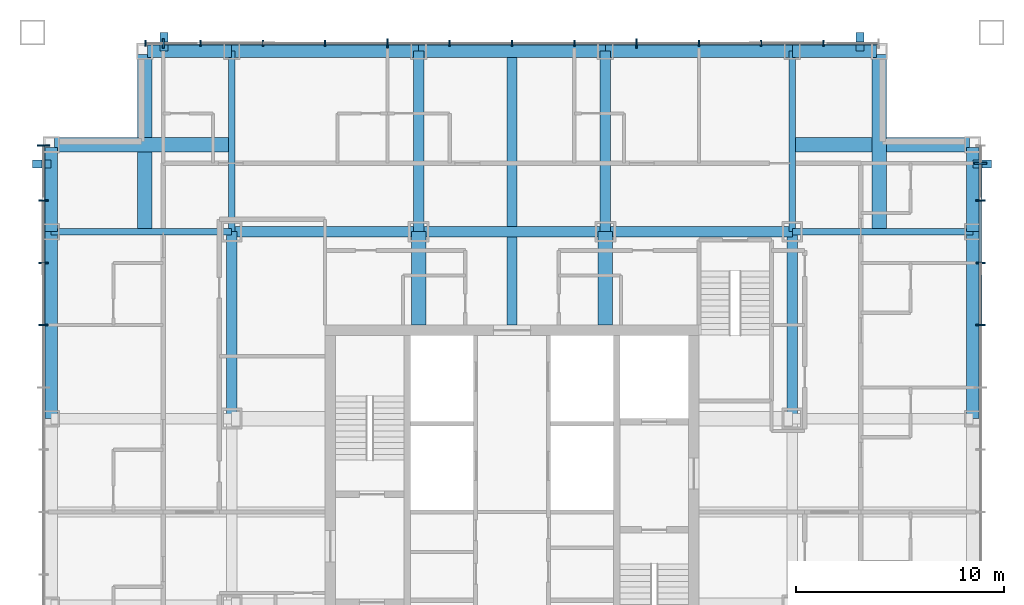
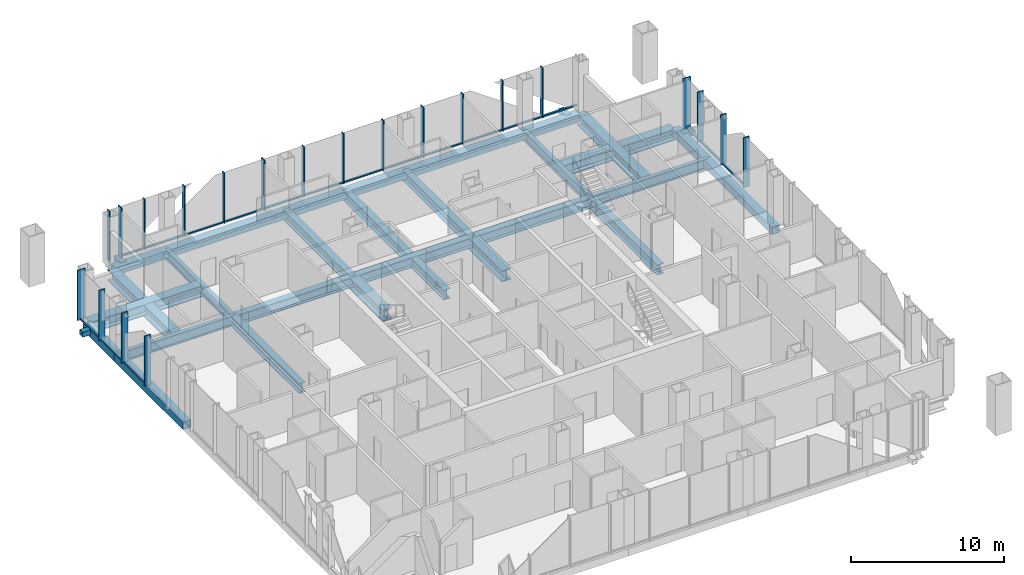
# One storey, part 4 of 15: 43 members, 27 beams, 3 elements without a shape of their own.
"""IFC4 building model written with IfcOpenShell, lengths in metres."""

from ifc_helpers import new_model, si_unit, direction, frame, origin, origin_2d, place, context, subcontext, project, spatial, rectangle, hollow_rectangle, i_section, extrude, material, layer, layer_set, material_profile, profile_set, type_object, element, aggregate, save


model = new_model("IFC4")

# Units and contexts
model_context = context("Model", 3, precision=1e-05, world=origin(), true_north=direction((0.0, 1.0)))
body_context = subcontext(model_context, "Body", "Model", "MODEL_VIEW")
ifc_project = project(units=[si_unit("LENGTHUNIT", "METRE"), si_unit("AREAUNIT", "SQUARE_METRE"), si_unit("VOLUMEUNIT", "CUBIC_METRE"), si_unit("PLANEANGLEUNIT", "RADIAN"), si_unit("MASSUNIT", "GRAM", prefix="KILO")], contexts=[model_context])

# Site, building, storey
site_placement = place(None, origin())
site = spatial("IfcSite", under=ifc_project, at=site_placement, CompositionType="ELEMENT")
building_placement = place(site_placement, origin())
building = spatial("IfcBuilding", under=site, at=building_placement, Name="Malebo Sky Hospital", CompositionType="ELEMENT")
storey_placement = place(building_placement, frame((0.0, 0.0, 181.0)))
storey = spatial("IfcBuildingStorey", under=building, at=storey_placement, Name="L43", CompositionType="ELEMENT", Elevation=181.0)

# Curtain wall, members
ifc_material_1 = material(Name="Anodised aluminium, natural silver", Category="aluminium")
ifc_layer_1 = layer(ifc_material_1, 0.25)
ifc_layer_set_1 = layer_set([ifc_layer_1], Name="WARD CURTAIN WALL NORTH AND SOUTH")
curtain_wall_type_1 = type_object("IfcCurtainWallType", Name="WARD CURTAIN WALL NORTH AND SOUTH", PredefinedType="NOTDEFINED", material=ifc_layer_set_1)
curtain_wall_1_placement = place(storey_placement, origin())
curtain_wall_1 = element("IfcCurtainWall", 1, at=curtain_wall_1_placement, inside=storey, type_object=curtain_wall_type_1, Name="NS curtain wall N", PredefinedType="NOTDEFINED")
ifc_material_profile_1 = material_profile(ifc_material_1, rectangle(XDim=0.14990234375, YDim=0.10009765625, at=origin_2d()), Name="ALUMINIUM TRANSOM 150x100")
ifc_profile_set_1 = profile_set([ifc_material_profile_1], Name="Anodised aluminium, natural silver")
member_type_1 = type_object("IfcMemberType", Name="ALUMINIUM TRANSOM 150x100", PredefinedType="USERDEFINED", material=ifc_profile_set_1)
member_1_placement = place(storey_placement, frame((43.237548828125, 84.574951171875, 0.050048828125), z_axis=(1.0, 0.0, 0.0), x_axis=(0.0, 1.0, 0.0)))
member_1 = element("IfcMember", 2, at=member_1_placement, type_object=member_type_1, Name="Transom 2", ObjectType="TRANSOM", PredefinedType="USERDEFINED", context=body_context, shape_type="SweptSolid", body=[
    extrude(rectangle(XDim=0.14990234375, YDim=0.10009765625, at=origin_2d()), origin(), (0.0, 0.0, 1.0), 1.724853515625),
])
member_2_placement = place(storey_placement, frame((45.03759765625, 84.574951171875, 0.050048828125), z_axis=(1.0, 0.0, 0.0), x_axis=(0.0, 1.0, 0.0)))
member_2 = element("IfcMember", 3, at=member_2_placement, type_object=member_type_1, Name="Transom 3", ObjectType="TRANSOM", PredefinedType="USERDEFINED", context=body_context, shape_type="SweptSolid", body=[
    extrude(rectangle(XDim=0.14990234375, YDim=0.10009765625, at=origin_2d()), origin(), (0.0, 0.0, 1.0), 2.9248046875),
])
member_3_placement = place(storey_placement, frame((48.03759765625, 84.574951171875, 0.050048828125), z_axis=(1.0, 0.0, 0.0), x_axis=(0.0, 1.0, 0.0)))
member_3 = element("IfcMember", 4, at=member_3_placement, type_object=member_type_1, Name="Transom 4", ObjectType="TRANSOM", PredefinedType="USERDEFINED", context=body_context, shape_type="SweptSolid", body=[
    extrude(rectangle(XDim=0.14990234375, YDim=0.10009765625, at=origin_2d()), origin(), (0.0, 0.0, 1.0), 2.9248046875),
])
member_4_placement = place(storey_placement, frame((51.03759765625, 84.574951171875, 0.050048828125), z_axis=(1.0, 0.0, 0.0), x_axis=(0.0, 1.0, 0.0)))
member_4 = element("IfcMember", 5, at=member_4_placement, type_object=member_type_1, Name="Transom 5", ObjectType="TRANSOM", PredefinedType="USERDEFINED", context=body_context, shape_type="SweptSolid", body=[
    extrude(rectangle(XDim=0.14990234375, YDim=0.10009765625, at=origin_2d()), origin(), (0.0, 0.0, 1.0), 2.9248046875),
])
member_5_placement = place(storey_placement, frame((54.03759765625, 84.574951171875, 0.050048828125), z_axis=(1.0, 0.0, 0.0), x_axis=(0.0, 1.0, 0.0)))
member_5 = element("IfcMember", 6, at=member_5_placement, type_object=member_type_1, Name="Transom 6", ObjectType="TRANSOM", PredefinedType="USERDEFINED", context=body_context, shape_type="SweptSolid", body=[
    extrude(rectangle(XDim=0.14990234375, YDim=0.10009765625, at=origin_2d()), origin(), (0.0, 0.0, 1.0), 2.9248046875),
])
member_6_placement = place(storey_placement, frame((57.03759765625, 84.574951171875, 0.050048828125), z_axis=(1.0, 0.0, 0.0), x_axis=(0.0, 1.0, 0.0)))
member_6 = element("IfcMember", 7, at=member_6_placement, type_object=member_type_1, Name="Transom 7", ObjectType="TRANSOM", PredefinedType="USERDEFINED", context=body_context, shape_type="SweptSolid", body=[
    extrude(rectangle(XDim=0.14990234375, YDim=0.10009765625, at=origin_2d()), origin(), (0.0, 0.0, 1.0), 2.9248046875),
])
member_7_placement = place(storey_placement, frame((60.03759765625, 84.574951171875, 0.050048828125), z_axis=(1.0, 0.0, 0.0), x_axis=(0.0, 1.0, 0.0)))
member_7 = element("IfcMember", 8, at=member_7_placement, type_object=member_type_1, Name="Transom 8", ObjectType="TRANSOM", PredefinedType="USERDEFINED", context=body_context, shape_type="SweptSolid", body=[
    extrude(rectangle(XDim=0.14990234375, YDim=0.10009765625, at=origin_2d()), origin(), (0.0, 0.0, 1.0), 2.9248046875),
])
member_8_placement = place(storey_placement, frame((63.03759765625, 84.574951171875, 0.050048828125), z_axis=(1.0, 0.0, 0.0), x_axis=(0.0, 1.0, 0.0)))
member_8 = element("IfcMember", 9, at=member_8_placement, type_object=member_type_1, Name="Transom 9", ObjectType="TRANSOM", PredefinedType="USERDEFINED", context=body_context, shape_type="SweptSolid", body=[
    extrude(rectangle(XDim=0.14990234375, YDim=0.10009765625, at=origin_2d()), origin(), (0.0, 0.0, 1.0), 2.9248046875),
])
member_9_placement = place(storey_placement, frame((66.03759765625, 84.574951171875, 0.050048828125), z_axis=(1.0, 0.0, 0.0), x_axis=(0.0, 1.0, 0.0)))
member_9 = element("IfcMember", 10, at=member_9_placement, type_object=member_type_1, Name="Transom 10", ObjectType="TRANSOM", PredefinedType="USERDEFINED", context=body_context, shape_type="SweptSolid", body=[
    extrude(rectangle(XDim=0.14990234375, YDim=0.10009765625, at=origin_2d()), origin(), (0.0, 0.0, 1.0), 2.9248046875),
])
member_10_placement = place(storey_placement, frame((69.03759765625, 84.574951171875, 0.050048828125), z_axis=(1.0, 0.0, 0.0), x_axis=(0.0, 1.0, 0.0)))
member_10 = element("IfcMember", 11, at=member_10_placement, type_object=member_type_1, Name="Transom 11", ObjectType="TRANSOM", PredefinedType="USERDEFINED", context=body_context, shape_type="SweptSolid", body=[
    extrude(rectangle(XDim=0.14990234375, YDim=0.10009765625, at=origin_2d()), origin(), (0.0, 0.0, 1.0), 2.9248046875),
])
member_11_placement = place(storey_placement, frame((72.03759765625, 84.574951171875, 0.050048828125), z_axis=(1.0, 0.0, 0.0), x_axis=(0.0, 1.0, 0.0)))
member_11 = element("IfcMember", 12, at=member_11_placement, type_object=member_type_1, Name="Transom 12", ObjectType="TRANSOM", PredefinedType="USERDEFINED", context=body_context, shape_type="SweptSolid", body=[
    extrude(rectangle(XDim=0.14990234375, YDim=0.10009765625, at=origin_2d()), origin(), (0.0, 0.0, 1.0), 2.9248046875),
])
member_12_placement = place(storey_placement, frame((75.03759765625, 84.574951171875, 0.050048828125), z_axis=(1.0, 0.0, 0.0), x_axis=(0.0, 1.0, 0.0)))
member_12 = element("IfcMember", 13, at=member_12_placement, type_object=member_type_1, Name="Transom 13", ObjectType="TRANSOM", PredefinedType="USERDEFINED", context=body_context, shape_type="SweptSolid", body=[
    extrude(rectangle(XDim=0.14990234375, YDim=0.10009765625, at=origin_2d()), origin(), (0.0, 0.0, 1.0), 2.58740234375),
])

ifc_layer_2 = layer(ifc_material_1, 0.25)
ifc_layer_set_2 = layer_set([ifc_layer_2], Name="WARD CURTAIN WALL EAST AND WEST")
curtain_wall_type_2 = type_object("IfcCurtainWallType", Name="WARD CURTAIN WALL EAST AND WEST", PredefinedType="NOTDEFINED", material=ifc_layer_set_2)
curtain_wall_2_placement = place(storey_placement, origin())
curtain_wall_2 = element("IfcCurtainWall", 14, at=curtain_wall_2_placement, inside=storey, type_object=curtain_wall_type_2, Name="EW curtain wall W", PredefinedType="NOTDEFINED")
member_13_placement = place(storey_placement, frame((37.425048828125, 71.03759765625, 0.050048828125), z_axis=(0.0, 1.0, 0.0), x_axis=(-1.0, 0.0, 0.0)))
member_13 = element("IfcMember", 15, at=member_13_placement, type_object=member_type_1, Name="Transom 11", ObjectType="TRANSOM", PredefinedType="USERDEFINED", context=body_context, shape_type="SweptSolid", body=[
    extrude(rectangle(XDim=0.14990234375, YDim=0.10009765625, at=origin_2d()), origin(), (0.0, 0.0, 1.0), 2.9248046875),
])
member_14_placement = place(storey_placement, frame((37.425048828125, 74.03759765625, 0.050048828125), z_axis=(0.0, 1.0, 0.0), x_axis=(-1.0, 0.0, 0.0)))
member_14 = element("IfcMember", 16, at=member_14_placement, type_object=member_type_1, Name="Transom 12", ObjectType="TRANSOM", PredefinedType="USERDEFINED", context=body_context, shape_type="SweptSolid", body=[
    extrude(rectangle(XDim=0.14990234375, YDim=0.10009765625, at=origin_2d()), origin(), (0.0, 0.0, 1.0), 2.9248046875),
])
member_15_placement = place(storey_placement, frame((37.425048828125, 77.03759765625, 0.050048828125), z_axis=(0.0, 1.0, 0.0), x_axis=(-1.0, 0.0, 0.0)))
member_15 = element("IfcMember", 17, at=member_15_placement, type_object=member_type_1, Name="Transom 13", ObjectType="TRANSOM", PredefinedType="USERDEFINED", context=body_context, shape_type="SweptSolid", body=[
    extrude(rectangle(XDim=0.14990234375, YDim=0.10009765625, at=origin_2d()), origin(), (0.0, 0.0, 1.0), 2.58740234375),
])

curtain_wall_3_placement = place(storey_placement, origin())
curtain_wall_3 = element("IfcCurtainWall", 18, at=curtain_wall_3_placement, inside=storey, type_object=curtain_wall_type_2, Name="EW curtain wall E", PredefinedType="NOTDEFINED")
member_16_placement = place(storey_placement, frame((82.574951171875, 78.762451171875, 0.050048828125), z_axis=(0.0, -1.0, 0.0), x_axis=(1.0, 0.0, 0.0)))
member_16 = element("IfcMember", 19, at=member_16_placement, type_object=member_type_1, Name="Transom 2", ObjectType="TRANSOM", PredefinedType="USERDEFINED", context=body_context, shape_type="SweptSolid", body=[
    extrude(rectangle(XDim=0.14990234375, YDim=0.10009765625, at=origin_2d()), origin(), (0.0, 0.0, 1.0), 1.724853515625),
])
member_17_placement = place(storey_placement, frame((82.574951171875, 76.96240234375, 0.050048828125), z_axis=(0.0, -1.0, 0.0), x_axis=(1.0, 0.0, 0.0)))
member_17 = element("IfcMember", 20, at=member_17_placement, type_object=member_type_1, Name="Transom 3", ObjectType="TRANSOM", PredefinedType="USERDEFINED", context=body_context, shape_type="SweptSolid", body=[
    extrude(rectangle(XDim=0.14990234375, YDim=0.10009765625, at=origin_2d()), origin(), (0.0, 0.0, 1.0), 2.9248046875),
])
member_18_placement = place(storey_placement, frame((82.574951171875, 73.96240234375, 0.050048828125), z_axis=(0.0, -1.0, 0.0), x_axis=(1.0, 0.0, 0.0)))
member_18 = element("IfcMember", 21, at=member_18_placement, type_object=member_type_1, Name="Transom 4", ObjectType="TRANSOM", PredefinedType="USERDEFINED", context=body_context, shape_type="SweptSolid", body=[
    extrude(rectangle(XDim=0.14990234375, YDim=0.10009765625, at=origin_2d()), origin(), (0.0, 0.0, 1.0), 2.9248046875),
])

# Members
ifc_material_2 = material(Name="Steel S355", Category="steel")
ifc_material_profile_2 = material_profile(ifc_material_2, hollow_rectangle(XDim=0.39990234375, YDim=0.39990234375, WallThickness=0.02001953125, at=origin_2d()), Name="SHS 400x20")
ifc_profile_set_2 = profile_set([ifc_material_profile_2], Name="Steel S355")
member_type_2 = type_object("IfcMemberType", Name="BRACE STRUT SHS 400x20", PredefinedType="STRUT", material=ifc_profile_set_2)
for number, where, z_axis, x_axis, name in (
    (22, (76.764404296875, 85.10009765625, -0.39990234375), (0.0, -1.0, 0.0), (1.0, 0.0, 0.0), "Brace strut CN1 L43"),
    (23, (43.235595703125, 85.10009765625, -0.39990234375), (0.0, -1.0, 0.0), (1.0, 0.0, 0.0), "Brace strut CN2 L43"),
    (24, (83.10009765625, 78.764404296875, -0.39990234375), (-1.0, 0.0, 0.0), (0.0, -1.0, 0.0), "Brace strut CE2 L43"),
    (25, (36.89990234375, 78.764404296875, -0.39990234375), (1.0, 0.0, 0.0), (0.0, 1.0, 0.0), "Brace strut CW1 L43"),
):
    element("IfcMember", number, at=place(storey_placement, frame(where, z_axis=z_axis, x_axis=x_axis)), inside=storey, type_object=member_type_2, Name=name, PredefinedType="STRUT", context=body_context, shape_type="SweptSolid", body=[
        extrude(hollow_rectangle(XDim=0.39990234375, YDim=0.39990234375, WallThickness=0.02001953125, at=origin_2d()), origin(), (0.0, 0.0, 1.0), 0.900146484375),
    ])

# Member
ifc_material_profile_3 = material_profile(ifc_material_1, rectangle(XDim=0.074951171875, YDim=0.300048828125, at=origin_2d()), Name="CW1 ALUMINIUM FIN MULLION 75x300")
ifc_profile_set_3 = profile_set([ifc_material_profile_3], Name="Anodised aluminium, natural silver")
member_type_3 = type_object("IfcMemberType", Name="CW1 ALUMINIUM FIN MULLION 75x300", PredefinedType="MULLION", material=ifc_profile_set_3)
member_19_placement = place(storey_placement, frame((42.33740234375, 84.574951171875, 0.0), z_axis=(0.0, 0.0, 1.0), x_axis=(1.0, 0.0, 0.0)))
member_19 = element("IfcMember", 26, at=member_19_placement, type_object=member_type_3, Name="Fin mullion 1", PredefinedType="MULLION", context=body_context, shape_type="SweptSolid", body=[
    extrude(rectangle(XDim=0.074951171875, YDim=0.300048828125, at=origin_2d()), origin(), (0.0, 0.0, 1.0), 4.0),
])

member_20_placement = place(storey_placement, frame((45.0, 84.574951171875, 0.0), z_axis=(0.0, 0.0, 1.0), x_axis=(1.0, 0.0, 0.0)))
member_20 = element("IfcMember", 27, at=member_20_placement, type_object=member_type_3, Name="Fin mullion 3", PredefinedType="MULLION", context=body_context, shape_type="SweptSolid", body=[
    extrude(rectangle(XDim=0.074951171875, YDim=0.300048828125, at=origin_2d()), origin(), (0.0, 0.0, 1.0), 4.0),
])

member_21_placement = place(storey_placement, frame((48.0, 84.574951171875, 0.0), z_axis=(0.0, 0.0, 1.0), x_axis=(1.0, 0.0, 0.0)))
member_21 = element("IfcMember", 28, at=member_21_placement, type_object=member_type_3, Name="Fin mullion 4", PredefinedType="MULLION", context=body_context, shape_type="SweptSolid", body=[
    extrude(rectangle(XDim=0.074951171875, YDim=0.300048828125, at=origin_2d()), origin(), (0.0, 0.0, 1.0), 4.0),
])

member_22_placement = place(storey_placement, frame((51.0, 84.574951171875, 0.0), z_axis=(0.0, 0.0, 1.0), x_axis=(1.0, 0.0, 0.0)))
member_22 = element("IfcMember", 29, at=member_22_placement, type_object=member_type_3, Name="Fin mullion 5", PredefinedType="MULLION", context=body_context, shape_type="SweptSolid", body=[
    extrude(rectangle(XDim=0.074951171875, YDim=0.300048828125, at=origin_2d()), origin(), (0.0, 0.0, 1.0), 4.0),
])

member_23_placement = place(storey_placement, frame((57.0, 84.574951171875, 0.0), z_axis=(0.0, 0.0, 1.0), x_axis=(1.0, 0.0, 0.0)))
member_23 = element("IfcMember", 30, at=member_23_placement, type_object=member_type_3, Name="Fin mullion 7", PredefinedType="MULLION", context=body_context, shape_type="SweptSolid", body=[
    extrude(rectangle(XDim=0.074951171875, YDim=0.300048828125, at=origin_2d()), origin(), (0.0, 0.0, 1.0), 4.0),
])

member_24_placement = place(storey_placement, frame((60.0, 84.574951171875, 0.0), z_axis=(0.0, 0.0, 1.0), x_axis=(1.0, 0.0, 0.0)))
member_24 = element("IfcMember", 31, at=member_24_placement, type_object=member_type_3, Name="Fin mullion 8", PredefinedType="MULLION", context=body_context, shape_type="SweptSolid", body=[
    extrude(rectangle(XDim=0.074951171875, YDim=0.300048828125, at=origin_2d()), origin(), (0.0, 0.0, 1.0), 4.0),
])

member_25_placement = place(storey_placement, frame((63.0, 84.574951171875, 0.0), z_axis=(0.0, 0.0, 1.0), x_axis=(1.0, 0.0, 0.0)))
member_25 = element("IfcMember", 32, at=member_25_placement, type_object=member_type_3, Name="Fin mullion 9", PredefinedType="MULLION", context=body_context, shape_type="SweptSolid", body=[
    extrude(rectangle(XDim=0.074951171875, YDim=0.300048828125, at=origin_2d()), origin(), (0.0, 0.0, 1.0), 4.0),
])

member_26_placement = place(storey_placement, frame((69.0, 84.574951171875, 0.0), z_axis=(0.0, 0.0, 1.0), x_axis=(1.0, 0.0, 0.0)))
member_26 = element("IfcMember", 33, at=member_26_placement, type_object=member_type_3, Name="Fin mullion 11", PredefinedType="MULLION", context=body_context, shape_type="SweptSolid", body=[
    extrude(rectangle(XDim=0.074951171875, YDim=0.300048828125, at=origin_2d()), origin(), (0.0, 0.0, 1.0), 4.0),
])

member_27_placement = place(storey_placement, frame((72.0, 84.574951171875, 0.0), z_axis=(0.0, 0.0, 1.0), x_axis=(1.0, 0.0, 0.0)))
member_27 = element("IfcMember", 34, at=member_27_placement, type_object=member_type_3, Name="Fin mullion 12", PredefinedType="MULLION", context=body_context, shape_type="SweptSolid", body=[
    extrude(rectangle(XDim=0.074951171875, YDim=0.300048828125, at=origin_2d()), origin(), (0.0, 0.0, 1.0), 4.0),
])

member_28_placement = place(storey_placement, frame((75.0, 84.574951171875, 0.0), z_axis=(0.0, 0.0, 1.0), x_axis=(1.0, 0.0, 0.0)))
member_28 = element("IfcMember", 35, at=member_28_placement, type_object=member_type_3, Name="Fin mullion 13", PredefinedType="MULLION", context=body_context, shape_type="SweptSolid", body=[
    extrude(rectangle(XDim=0.074951171875, YDim=0.300048828125, at=origin_2d()), origin(), (0.0, 0.0, 1.0), 4.0),
])

ifc_material_profile_4 = material_profile(ifc_material_1, rectangle(XDim=0.074951171875, YDim=0.449951171875, at=origin_2d()), Name="CW1 ALUMINIUM FIN MULLION 75x450")
ifc_profile_set_4 = profile_set([ifc_material_profile_4], Name="Anodised aluminium, natural silver")
member_type_4 = type_object("IfcMemberType", Name="CW1 ALUMINIUM FIN MULLION 75x450", PredefinedType="MULLION", material=ifc_profile_set_4)
member_29_placement = place(storey_placement, frame((43.199951171875, 84.574951171875, 0.0), z_axis=(0.0, 0.0, 1.0), x_axis=(1.0, 0.0, 0.0)))
member_29 = element("IfcMember", 36, at=member_29_placement, type_object=member_type_4, Name="Fin mullion 2", PredefinedType="MULLION", context=body_context, shape_type="SweptSolid", body=[
    extrude(rectangle(XDim=0.074951171875, YDim=0.449951171875, at=origin_2d()), origin(), (0.0, 0.0, 1.0), 4.0),
])

member_30_placement = place(storey_placement, frame((54.0, 84.574951171875, 0.0), z_axis=(0.0, 0.0, 1.0), x_axis=(1.0, 0.0, 0.0)))
member_30 = element("IfcMember", 37, at=member_30_placement, type_object=member_type_4, Name="Fin mullion 6", PredefinedType="MULLION", context=body_context, shape_type="SweptSolid", body=[
    extrude(rectangle(XDim=0.074951171875, YDim=0.449951171875, at=origin_2d()), origin(), (0.0, 0.0, 1.0), 4.0),
])

member_31_placement = place(storey_placement, frame((66.0, 84.574951171875, 0.0), z_axis=(0.0, 0.0, 1.0), x_axis=(1.0, 0.0, 0.0)))
member_31 = element("IfcMember", 38, at=member_31_placement, type_object=member_type_4, Name="Fin mullion 10", PredefinedType="MULLION", context=body_context, shape_type="SweptSolid", body=[
    extrude(rectangle(XDim=0.074951171875, YDim=0.449951171875, at=origin_2d()), origin(), (0.0, 0.0, 1.0), 4.0),
])

aggregate(curtain_wall_1, [member_19, member_29, member_20, member_21, member_22, member_30, member_23, member_24, member_25, member_31, member_26, member_27, member_28, member_1, member_2, member_3, member_4, member_5, member_6, member_7, member_8, member_9, member_10, member_11, member_12])

ifc_material_profile_5 = material_profile(ifc_material_1, rectangle(XDim=0.074951171875, YDim=0.449951171875, at=origin_2d()), Name="CW2 ALUMINIUM FIN MULLION 75x450")
ifc_profile_set_5 = profile_set([ifc_material_profile_5], Name="Anodised aluminium, natural silver")
member_type_5 = type_object("IfcMemberType", Name="CW2 ALUMINIUM FIN MULLION 75x450", PredefinedType="MULLION", material=ifc_profile_set_5)
member_32_placement = place(storey_placement, frame((37.425048828125, 71.0, 0.0), z_axis=(0.0, 0.0, 1.0), x_axis=(0.0, 1.0, 0.0)))
member_32 = element("IfcMember", 39, at=member_32_placement, type_object=member_type_5, Name="Fin mullion 11", PredefinedType="MULLION", context=body_context, shape_type="SweptSolid", body=[
    extrude(rectangle(XDim=0.074951171875, YDim=0.449951171875, at=origin_2d()), origin(), (0.0, 0.0, 1.0), 4.0),
])

member_33_placement = place(storey_placement, frame((37.425048828125, 74.0, 0.0), z_axis=(0.0, 0.0, 1.0), x_axis=(0.0, 1.0, 0.0)))
member_33 = element("IfcMember", 40, at=member_33_placement, type_object=member_type_5, Name="Fin mullion 12", PredefinedType="MULLION", context=body_context, shape_type="SweptSolid", body=[
    extrude(rectangle(XDim=0.074951171875, YDim=0.449951171875, at=origin_2d()), origin(), (0.0, 0.0, 1.0), 4.0),
])

member_34_placement = place(storey_placement, frame((37.425048828125, 77.0, 0.0), z_axis=(0.0, 0.0, 1.0), x_axis=(0.0, 1.0, 0.0)))
member_34 = element("IfcMember", 41, at=member_34_placement, type_object=member_type_5, Name="Fin mullion 13", PredefinedType="MULLION", context=body_context, shape_type="SweptSolid", body=[
    extrude(rectangle(XDim=0.074951171875, YDim=0.449951171875, at=origin_2d()), origin(), (0.0, 0.0, 1.0), 4.0),
])

member_35_placement = place(storey_placement, frame((82.574951171875, 77.0, 0.0), z_axis=(0.0, 0.0, 1.0), x_axis=(0.0, -1.0, 0.0)))
member_35 = element("IfcMember", 42, at=member_35_placement, type_object=member_type_5, Name="Fin mullion 3", PredefinedType="MULLION", context=body_context, shape_type="SweptSolid", body=[
    extrude(rectangle(XDim=0.074951171875, YDim=0.449951171875, at=origin_2d()), origin(), (0.0, 0.0, 1.0), 4.0),
])

member_36_placement = place(storey_placement, frame((82.574951171875, 74.0, 0.0), z_axis=(0.0, 0.0, 1.0), x_axis=(0.0, -1.0, 0.0)))
member_36 = element("IfcMember", 43, at=member_36_placement, type_object=member_type_5, Name="Fin mullion 4", PredefinedType="MULLION", context=body_context, shape_type="SweptSolid", body=[
    extrude(rectangle(XDim=0.074951171875, YDim=0.449951171875, at=origin_2d()), origin(), (0.0, 0.0, 1.0), 4.0),
])

member_37_placement = place(storey_placement, frame((82.574951171875, 71.0, 0.0), z_axis=(0.0, 0.0, 1.0), x_axis=(0.0, -1.0, 0.0)))
member_37 = element("IfcMember", 44, at=member_37_placement, type_object=member_type_5, Name="Fin mullion 5", PredefinedType="MULLION", context=body_context, shape_type="SweptSolid", body=[
    extrude(rectangle(XDim=0.074951171875, YDim=0.449951171875, at=origin_2d()), origin(), (0.0, 0.0, 1.0), 4.0),
])

ifc_material_profile_6 = material_profile(ifc_material_1, rectangle(XDim=0.074951171875, YDim=0.60009765625, at=origin_2d()), Name="CW2 ALUMINIUM FIN MULLION 75x600")
ifc_profile_set_6 = profile_set([ifc_material_profile_6], Name="Anodised aluminium, natural silver")
member_type_6 = type_object("IfcMemberType", Name="CW2 ALUMINIUM FIN MULLION 75x600", PredefinedType="MULLION", material=ifc_profile_set_6)
member_38_placement = place(storey_placement, frame((37.425048828125, 79.66259765625, 0.0), z_axis=(0.0, 0.0, 1.0), x_axis=(0.0, 1.0, 0.0)))
member_38 = element("IfcMember", 45, at=member_38_placement, type_object=member_type_6, Name="Fin mullion 14", PredefinedType="MULLION", context=body_context, shape_type="SweptSolid", body=[
    extrude(rectangle(XDim=0.074951171875, YDim=0.60009765625, at=origin_2d()), origin(), (0.0, 0.0, 1.0), 4.0),
])

aggregate(curtain_wall_2, [member_32, member_33, member_34, member_38, member_13, member_14, member_15])

member_39_placement = place(storey_placement, frame((82.574951171875, 78.800048828125, 0.0), z_axis=(0.0, 0.0, 1.0), x_axis=(0.0, -1.0, 0.0)))
member_39 = element("IfcMember", 46, at=member_39_placement, type_object=member_type_6, Name="Fin mullion 2", PredefinedType="MULLION", context=body_context, shape_type="SweptSolid", body=[
    extrude(rectangle(XDim=0.074951171875, YDim=0.60009765625, at=origin_2d()), origin(), (0.0, 0.0, 1.0), 4.0),
])

aggregate(curtain_wall_3, [member_39, member_35, member_36, member_37, member_16, member_17, member_18])

# Beams
ifc_material_3 = material(Name="Steel S460", Category="steel")
ifc_material_profile_7 = material_profile(ifc_material_3, hollow_rectangle(XDim=0.60009765625, YDim=0.60009765625, WallThickness=0.0400390625, at=origin_2d()), Name="BOX 600x600x40")
ifc_profile_set_7 = profile_set([ifc_material_profile_7], Name="Steel S460")
beam_type_1 = type_object("IfcBeamType", Name="EDGE BEAM BOX 600x600x40", PredefinedType="BEAM", material=ifc_profile_set_7)
beam_1_placement = place(storey_placement, frame((37.800048828125, 66.5, -0.550048828125), z_axis=(0.0, 1.0, 0.0), x_axis=(-1.0, 0.0, 0.0)))
element("IfcBeam", 47, at=beam_1_placement, inside=storey, type_object=beam_type_1, Name="Beam 003 L43", PredefinedType="BEAM", context=body_context, shape_type="SweptSolid", body=[
    extrude(hollow_rectangle(XDim=0.60009765625, YDim=0.60009765625, WallThickness=0.0400390625, at=origin_2d()), origin(), (0.0, 0.0, 1.0), 9.0),
])
beam_2_placement = place(storey_placement, frame((37.800048828125, 75.5, -0.550048828125), z_axis=(0.0, 1.0, 0.0), x_axis=(-1.0, 0.0, 0.0)))
element("IfcBeam", 48, at=beam_2_placement, inside=storey, type_object=beam_type_1, Name="Beam 004 L43", PredefinedType="BEAM", context=body_context, shape_type="SweptSolid", body=[
    extrude(hollow_rectangle(XDim=0.60009765625, YDim=0.60009765625, WallThickness=0.0400390625, at=origin_2d()), origin(), (0.0, 0.0, 1.0), 4.050048828125),
])
beam_3_placement = place(storey_placement, frame((82.199951171875, 66.5, -0.550048828125), z_axis=(0.0, 1.0, 0.0), x_axis=(-1.0, 0.0, 0.0)))
element("IfcBeam", 49, at=beam_3_placement, inside=storey, type_object=beam_type_1, Name="Beam 032 L43", PredefinedType="BEAM", context=body_context, shape_type="SweptSolid", body=[
    extrude(hollow_rectangle(XDim=0.60009765625, YDim=0.60009765625, WallThickness=0.0400390625, at=origin_2d()), origin(), (0.0, 0.0, 1.0), 9.0),
])
for number, where, z_axis, x_axis, name in (
    (50, (82.199951171875, 75.5, -0.550048828125), (0.0, 1.0, 0.0), (-1.0, 0.0, 0.0), "Beam 033 L43"),
    (51, (42.449951171875, 84.199951171875, -0.550048828125), (1.0, 0.0, 0.0), (0.0, 1.0, 0.0), "Beam 063 L43"),
):
    element("IfcBeam", number, at=place(storey_placement, frame(where, z_axis=z_axis, x_axis=x_axis)), inside=storey, type_object=beam_type_1, Name=name, PredefinedType="BEAM", context=body_context, shape_type="SweptSolid", body=[
        extrude(hollow_rectangle(XDim=0.60009765625, YDim=0.60009765625, WallThickness=0.0400390625, at=origin_2d()), origin(), (0.0, 0.0, 1.0), 4.050048828125),
    ])
for number, where, z_axis, x_axis, name in (
    (52, (46.5, 84.199951171875, -0.550048828125), (1.0, 0.0, 0.0), (0.0, 1.0, 0.0), "Beam 064 L43"),
    (53, (55.5, 84.199951171875, -0.550048828125), (1.0, 0.0, 0.0), (0.0, 1.0, 0.0), "Beam 065 L43"),
    (54, (64.5, 84.199951171875, -0.550048828125), (1.0, 0.0, 0.0), (0.0, 1.0, 0.0), "Beam 066 L43"),
):
    element("IfcBeam", number, at=place(storey_placement, frame(where, z_axis=z_axis, x_axis=x_axis)), inside=storey, type_object=beam_type_1, Name=name, PredefinedType="BEAM", context=body_context, shape_type="SweptSolid", body=[
        extrude(hollow_rectangle(XDim=0.60009765625, YDim=0.60009765625, WallThickness=0.0400390625, at=origin_2d()), origin(), (0.0, 0.0, 1.0), 9.0),
    ])
beam_4_placement = place(storey_placement, frame((73.5, 84.199951171875, -0.550048828125), z_axis=(1.0, 0.0, 0.0), x_axis=(0.0, 1.0, 0.0)))
element("IfcBeam", 55, at=beam_4_placement, inside=storey, type_object=beam_type_1, Name="Beam 067 L43", PredefinedType="BEAM", context=body_context, shape_type="SweptSolid", body=[
    extrude(hollow_rectangle(XDim=0.60009765625, YDim=0.60009765625, WallThickness=0.0400390625, at=origin_2d()), origin(), (0.0, 0.0, 1.0), 4.050048828125),
])
ifc_material_profile_8 = material_profile(ifc_material_2, i_section(OverallWidth=0.5, OverallDepth=0.800048828125, WebThickness=0.030029296875, FlangeThickness=0.050048828125, at=origin_2d()), Name="PG 800x500x30x50")
ifc_profile_set_8 = profile_set([ifc_material_profile_8], Name="Steel S355")
beam_type_2 = type_object("IfcBeamType", Name="FLOOR BEAM PG 800x500x30x50", PredefinedType="BEAM", material=ifc_profile_set_8)
beam_5_placement = place(storey_placement, frame((46.5, 66.5, -0.64990234375), z_axis=(0.0, 1.0, 0.0), x_axis=(-1.0, 0.0, 0.0)))
element("IfcBeam", 56, at=beam_5_placement, inside=storey, type_object=beam_type_2, Name="Beam 010 L43", PredefinedType="BEAM", context=body_context, shape_type="SweptSolid", body=[
    extrude(i_section(OverallWidth=0.5, OverallDepth=0.800048828125, WebThickness=0.030029296875, FlangeThickness=0.050048828125, at=origin_2d()), origin(), (0.0, 0.0, 1.0), 9.0),
])
beam_6_placement = place(storey_placement, frame((55.5, 75.5, -0.64990234375), z_axis=(0.0, 1.0, 0.0), x_axis=(-1.0, 0.0, 0.0)))
element("IfcBeam", 57, at=beam_6_placement, inside=storey, type_object=beam_type_2, Name="Beam 015 L43", PredefinedType="BEAM", context=body_context, shape_type="SweptSolid", body=[
    extrude(i_section(OverallWidth=0.5, OverallDepth=0.800048828125, WebThickness=0.030029296875, FlangeThickness=0.050048828125, at=origin_2d()), origin(), (0.0, 0.0, 1.0), 8.699951171875),
])
beam_7_placement = place(storey_placement, frame((60.0, 71.0, -0.64990234375), z_axis=(0.0, 1.0, 0.0), x_axis=(-1.0, 0.0, 0.0)))
element("IfcBeam", 58, at=beam_7_placement, inside=storey, type_object=beam_type_2, Name="Beam 017 L43", PredefinedType="BEAM", context=body_context, shape_type="SweptSolid", body=[
    extrude(i_section(OverallWidth=0.5, OverallDepth=0.800048828125, WebThickness=0.030029296875, FlangeThickness=0.050048828125, at=origin_2d()), origin(), (0.0, 0.0, 1.0), 13.199951171875),
])
beam_8_placement = place(storey_placement, frame((64.5, 75.5, -0.64990234375), z_axis=(0.0, 1.0, 0.0), x_axis=(-1.0, 0.0, 0.0)))
element("IfcBeam", 59, at=beam_8_placement, inside=storey, type_object=beam_type_2, Name="Beam 021 L43", PredefinedType="BEAM", context=body_context, shape_type="SweptSolid", body=[
    extrude(i_section(OverallWidth=0.5, OverallDepth=0.800048828125, WebThickness=0.030029296875, FlangeThickness=0.050048828125, at=origin_2d()), origin(), (0.0, 0.0, 1.0), 8.699951171875),
])
for number, where, z_axis, x_axis, name in (
    (60, (73.5, 66.5, -0.64990234375), (0.0, 1.0, 0.0), (-1.0, 0.0, 0.0), "Beam 025 L43"),
    (61, (46.5, 75.5, -0.64990234375), (1.0, 0.0, 0.0), (0.0, 1.0, 0.0), "Beam 057 L43"),
    (62, (64.5, 75.5, -0.64990234375), (1.0, 0.0, 0.0), (0.0, 1.0, 0.0), "Beam 059 L43"),
):
    element("IfcBeam", number, at=place(storey_placement, frame(where, z_axis=z_axis, x_axis=x_axis)), inside=storey, type_object=beam_type_2, Name=name, PredefinedType="BEAM", context=body_context, shape_type="SweptSolid", body=[
        extrude(i_section(OverallWidth=0.5, OverallDepth=0.800048828125, WebThickness=0.030029296875, FlangeThickness=0.050048828125, at=origin_2d()), origin(), (0.0, 0.0, 1.0), 9.0),
    ])
ifc_material_profile_9 = material_profile(ifc_material_2, i_section(OverallWidth=0.699951171875, OverallDepth=0.89990234375, WebThickness=0.0400390625, FlangeThickness=0.070068359375, at=origin_2d()), Name="PG 900x700x40x70")
ifc_profile_set_9 = profile_set([ifc_material_profile_9], Name="Steel S355")
beam_type_3 = type_object("IfcBeamType", Name="FLOOR BEAM PG 900x700x40x70", PredefinedType="BEAM", material=ifc_profile_set_9)
beam_9_placement = place(storey_placement, frame((42.300048828125, 75.5, -0.699951171875), z_axis=(0.0, 1.0, 0.0), x_axis=(-1.0, 0.0, 0.0)))
element("IfcBeam", 63, at=beam_9_placement, inside=storey, type_object=beam_type_3, Name="Beam 006 L43", PredefinedType="BEAM", context=body_context, shape_type="SweptSolid", body=[
    extrude(i_section(OverallWidth=0.699951171875, OverallDepth=0.89990234375, WebThickness=0.0400390625, FlangeThickness=0.070068359375, at=origin_2d()), origin(), (0.0, 0.0, 1.0), 8.550048828125),
])
for number, where, z_axis, x_axis, name in (
    (64, (55.5, 71.0, -0.699951171875), (0.0, 1.0, 0.0), (-1.0, 0.0, 0.0), "Beam 014 L43"),
    (65, (64.5, 71.0, -0.699951171875), (0.0, 1.0, 0.0), (-1.0, 0.0, 0.0), "Beam 020 L43"),
):
    element("IfcBeam", number, at=place(storey_placement, frame(where, z_axis=z_axis, x_axis=x_axis)), inside=storey, type_object=beam_type_3, Name=name, PredefinedType="BEAM", context=body_context, shape_type="SweptSolid", body=[
        extrude(i_section(OverallWidth=0.699951171875, OverallDepth=0.89990234375, WebThickness=0.0400390625, FlangeThickness=0.070068359375, at=origin_2d()), origin(), (0.0, 0.0, 1.0), 4.5),
    ])
for number, where, z_axis, x_axis, name in (
    (66, (77.699951171875, 75.5, -0.699951171875), (0.0, 1.0, 0.0), (-1.0, 0.0, 0.0), "Beam 028 L43"),
    (67, (37.949951171875, 79.699951171875, -0.699951171875), (1.0, 0.0, 0.0), (0.0, 1.0, 0.0), "Beam 061 L43"),
    (68, (73.5, 79.699951171875, -0.699951171875), (1.0, 0.0, 0.0), (0.0, 1.0, 0.0), "Beam 062 L43"),
):
    element("IfcBeam", number, at=place(storey_placement, frame(where, z_axis=z_axis, x_axis=x_axis)), inside=storey, type_object=beam_type_3, Name=name, PredefinedType="BEAM", context=body_context, shape_type="SweptSolid", body=[
        extrude(i_section(OverallWidth=0.699951171875, OverallDepth=0.89990234375, WebThickness=0.0400390625, FlangeThickness=0.070068359375, at=origin_2d()), origin(), (0.0, 0.0, 1.0), 8.550048828125),
    ])
ifc_material_profile_10 = material_profile(ifc_material_2, i_section(OverallWidth=0.300048828125, OverallDepth=0.800048828125, WebThickness=0.017578125, FlangeThickness=0.032958984375, FilletRadius=0.030029296875, at=origin_2d()), Name="HEB 800")
ifc_profile_set_10 = profile_set([ifc_material_profile_10], Name="Steel S355")
beam_type_4 = type_object("IfcBeamType", Name="FLOOR GIRDER HEB 800", PredefinedType="BEAM", material=ifc_profile_set_10)
for number, where, z_axis, x_axis, name in (
    (69, (46.5, 75.5, -0.64990234375), (0.0, 1.0, 0.0), (-1.0, 0.0, 0.0), "Beam 011 L43"),
    (70, (73.5, 75.5, -0.64990234375), (0.0, 1.0, 0.0), (-1.0, 0.0, 0.0), "Beam 026 L43"),
    (71, (37.800048828125, 75.5, -0.64990234375), (1.0, 0.0, 0.0), (0.0, 1.0, 0.0), "Beam 056 L43"),
    (72, (73.5, 75.5, -0.64990234375), (1.0, 0.0, 0.0), (0.0, 1.0, 0.0), "Beam 060 L43"),
):
    element("IfcBeam", number, at=place(storey_placement, frame(where, z_axis=z_axis, x_axis=x_axis)), inside=storey, type_object=beam_type_4, Name=name, PredefinedType="BEAM", context=body_context, shape_type="SweptSolid", body=[
        extrude(i_section(OverallWidth=0.300048828125, OverallDepth=0.800048828125, WebThickness=0.017578125, FlangeThickness=0.032958984375, FilletRadius=0.030029296875, at=origin_2d()), origin(), (0.0, 0.0, 1.0), 8.699951171875),
    ])
ifc_material_profile_11 = material_profile(ifc_material_2, i_section(OverallWidth=0.5, OverallDepth=0.800048828125, WebThickness=0.030029296875, FlangeThickness=0.050048828125, at=origin_2d()), Name="PG 800x500x30x50")
ifc_profile_set_11 = profile_set([ifc_material_profile_11], Name="Steel S355")
beam_type_5 = type_object("IfcBeamType", Name="RING GIRDER PG 800x500x30x50", PredefinedType="BEAM", material=ifc_profile_set_11)
beam_10_placement = place(storey_placement, frame((55.5, 75.5, -0.64990234375), z_axis=(1.0, 0.0, 0.0), x_axis=(0.0, 1.0, 0.0)))
element("IfcBeam", 73, at=beam_10_placement, inside=storey, type_object=beam_type_5, Name="Beam 058 L43", PredefinedType="BEAM", context=body_context, shape_type="SweptSolid", body=[
    extrude(i_section(OverallWidth=0.5, OverallDepth=0.800048828125, WebThickness=0.030029296875, FlangeThickness=0.050048828125, at=origin_2d()), origin(), (0.0, 0.0, 1.0), 9.0),
])

save(model, "model.ifc")
